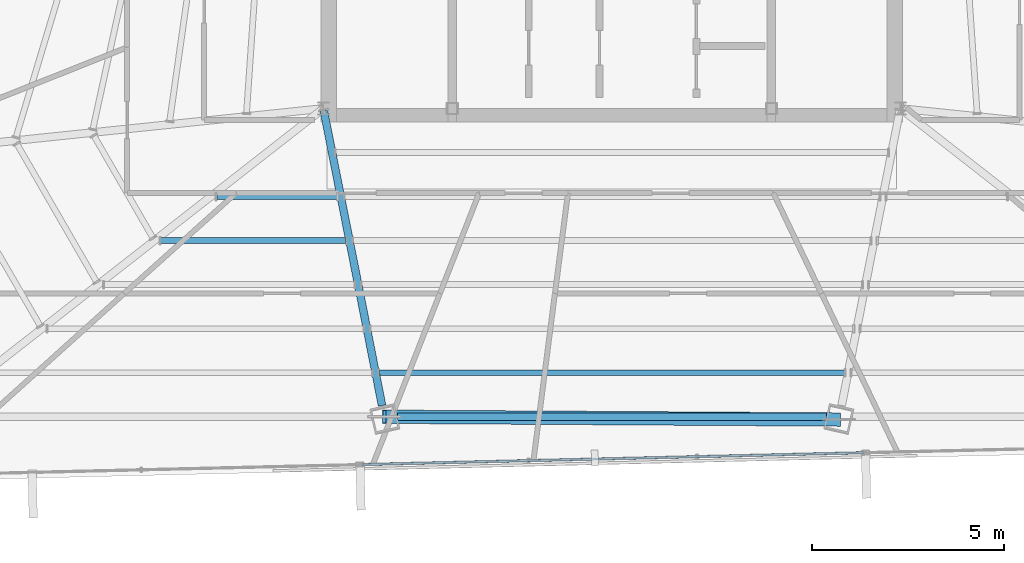
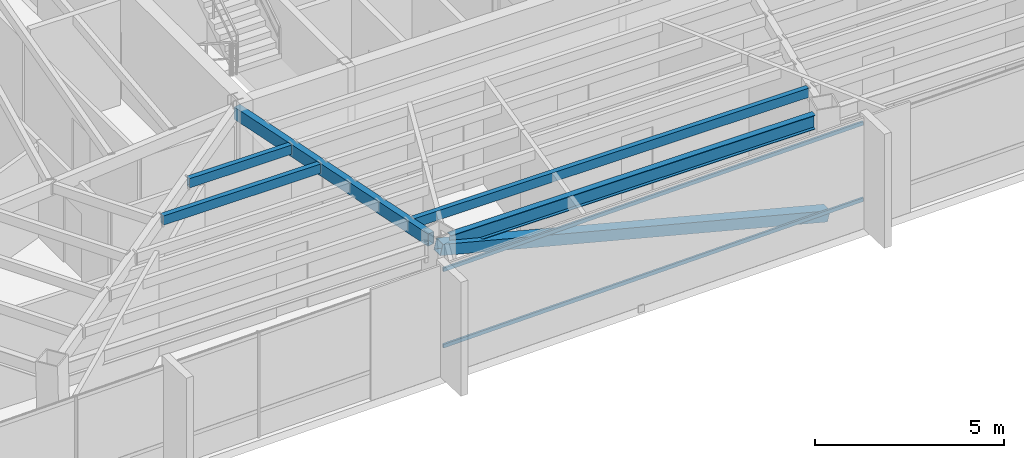
# One storey, part 12 of 47: 5 beams, 3 members, 1 element without a shape of its own.
"""IFC4 building model written with IfcOpenShell, lengths in metres."""

from ifc_helpers import new_model, si_unit, direction, frame, origin, origin_2d, place, context, subcontext, project, spatial, hollow_rectangle, i_section, extrude, source, transform, mapped, material, material_profile, profile_set, type_object, type_shapes, element, aggregate, save


model = new_model("IFC4")

# Units and contexts
model_context = context("Model", 3, precision=1e-05, world=origin(), true_north=direction((0.0, 1.0)))
body_context = subcontext(model_context, "Body", "Model", "MODEL_VIEW")
ifc_project = project(units=[si_unit("LENGTHUNIT", "METRE"), si_unit("AREAUNIT", "SQUARE_METRE"), si_unit("VOLUMEUNIT", "CUBIC_METRE"), si_unit("PLANEANGLEUNIT", "RADIAN"), si_unit("MASSUNIT", "GRAM", prefix="KILO")], contexts=[model_context])

# Site, building, storey
site_placement = place(None, origin())
site = spatial("IfcSite", under=ifc_project, at=site_placement, CompositionType="ELEMENT")
building_placement = place(site_placement, origin())
building = spatial("IfcBuilding", under=site, at=building_placement, Name="Caelisora Broadcast Tower", CompositionType="ELEMENT")
storey_placement = place(building_placement, frame((0.0, 0.0, 255.39990234375)))
storey = spatial("IfcBuildingStorey", under=building, at=storey_placement, Name="L67", CompositionType="ELEMENT", Elevation=255.39990234375)

# Beams
ifc_material_1 = material(Name="Steel Grade 350 (AS/NZS 3679.1)", Category="steel")
ifc_material_profile_1 = material_profile(ifc_material_1, i_section(OverallWidth=0.19091796875, OverallDepth=0.46044921875, WebThickness=0.010009765625, FlangeThickness=0.01611328125, at=origin_2d()), Name="Steel Grade 350 (AS/NZS 3679.1)")
ifc_profile_set_1 = profile_set([ifc_material_profile_1], Name="Steel Grade 350 (AS/NZS 3679.1)")
beam_type_1 = type_object("IfcBeamType", Name="PG06", PredefinedType="BEAM", material=ifc_profile_set_1)
shared_shape_1 = source(origin(), body_context, "Body", "SweptSolid", [
    extrude(i_section(OverallWidth=0.19091796875, OverallDepth=0.46044921875, WebThickness=0.010009765625, FlangeThickness=0.01611328125, at=origin_2d()), origin(), (0.0, 0.0, 1.0), 11.1572265625),
])
type_shapes(beam_type_1, [shared_shape_1])
beam_1_placement = place(storey_placement, frame((32.42138671875, 9.384521484375, 3.169921875), z_axis=(1.0, 0.0, 0.0), x_axis=(0.0, 1.0, 0.0)))
element("IfcBeam", 1, at=beam_1_placement, inside=storey, type_object=beam_type_1, Name="L67 beam PG06", PredefinedType="BEAM", context=body_context, shape_type="MappedRepresentation", body=[
    mapped(shared_shape_1, transform((0.0, 0.0, 0.0), scale=1.0)),
])
ifc_material_2 = material(Name="Steel Grade 350 (AS/NZS 1163 C350L0)", Category="steel")
ifc_material_profile_2 = material_profile(ifc_material_2, hollow_rectangle(XDim=0.199951171875, YDim=0.39990234375, WallThickness=0.012451171875, at=origin_2d()), Name="Steel Grade 350 (AS/NZS 1163 C350L0)")
ifc_profile_set_2 = profile_set([ifc_material_profile_2], Name="Steel Grade 350 (AS/NZS 1163 C350L0)")
beam_type_2 = type_object("IfcBeamType", Name="PG07", PredefinedType="BEAM", material=ifc_profile_set_2)
shared_shape_2 = source(origin(), body_context, "Body", "SweptSolid", [
    extrude(hollow_rectangle(XDim=0.199951171875, YDim=0.39990234375, WallThickness=0.012451171875, at=origin_2d()), origin(), (0.0, 0.0, 1.0), 7.8125),
])
type_shapes(beam_type_2, [shared_shape_2])
beam_2_placement = place(storey_placement, frame((30.51171875, 17.341064453125, 3.2001953125), z_axis=(0.193783818977, -0.981044255629, 0.0), x_axis=(0.981044255629, 0.193783818977, 0.0)))
element("IfcBeam", 2, at=beam_2_placement, inside=storey, type_object=beam_type_2, Name="L67 beam PG07", PredefinedType="BEAM", context=body_context, shape_type="MappedRepresentation", body=[
    mapped(shared_shape_2, transform((0.0, 0.0, 0.0), scale=1.0)),
])
ifc_material_profile_3 = material_profile(ifc_material_2, hollow_rectangle(XDim=0.14990234375, YDim=0.300048828125, WallThickness=0.010009765625, at=origin_2d()), Name="Steel Grade 350 (AS/NZS 1163 C350L0)")
ifc_profile_set_3 = profile_set([ifc_material_profile_3], Name="Steel Grade 350 (AS/NZS 1163 C350L0)")
beam_type_3 = type_object("IfcBeamType", Name="SB05", PredefinedType="JOIST", material=ifc_profile_set_3)
shared_shape_3 = source(origin(), body_context, "Body", "SweptSolid", [
    extrude(hollow_rectangle(XDim=0.14990234375, YDim=0.300048828125, WallThickness=0.010009765625, at=origin_2d()), origin(), (0.0, 0.0, 1.0), 3.12255859375),
])
beam_3_placement = place(storey_placement, frame((27.73095703125, 15.10986328125, 3.25), z_axis=(1.0, 0.0, 0.0), x_axis=(0.0, 1.0, 0.0)))
element("IfcBeam", 3, at=beam_3_placement, inside=storey, type_object=beam_type_3, Name="L67 beam SB05", PredefinedType="JOIST", context=body_context, shape_type="MappedRepresentation", body=[
    mapped(shared_shape_3, transform((0.0, 0.0, 0.0), scale=1.0)),
])
shared_shape_4 = source(origin(), body_context, "Body", "SweptSolid", [
    extrude(hollow_rectangle(XDim=0.14990234375, YDim=0.300048828125, WallThickness=0.010009765625, at=origin_2d()), origin(), (0.0, 0.0, 1.0), 4.81298828125),
])
beam_4_placement = place(storey_placement, frame((26.2666015625, 13.964599609375, 3.25), z_axis=(1.0, 0.0, 0.0), x_axis=(0.0, 1.0, 0.0)))
element("IfcBeam", 4, at=beam_4_placement, inside=storey, type_object=beam_type_3, Name="L67 beam SB05", PredefinedType="JOIST", context=body_context, shape_type="MappedRepresentation", body=[
    mapped(shared_shape_4, transform((0.0, 0.0, 0.0), scale=1.0)),
])
shared_shape_5 = source(origin(), body_context, "Body", "SweptSolid", [
    extrude(hollow_rectangle(XDim=0.14990234375, YDim=0.300048828125, WallThickness=0.010009765625, at=origin_2d()), origin(), (0.0, 0.0, 1.0), 12.08740234375),
])
type_shapes(beam_type_3, [shared_shape_3, shared_shape_4, shared_shape_5])
beam_5_placement = place(storey_placement, frame((31.956298828125, 10.529541015625, 3.25), z_axis=(1.0, 0.0, 0.0), x_axis=(0.0, 1.0, 0.0)))
element("IfcBeam", 5, at=beam_5_placement, inside=storey, type_object=beam_type_3, Name="L67 beam SB05", PredefinedType="JOIST", context=body_context, shape_type="MappedRepresentation", body=[
    mapped(shared_shape_5, transform((0.0, 0.0, 0.0), scale=1.0)),
])

# Member
ifc_material_3 = material(Name="Steel Grade 450 (AS/NZS 1163 C450L0)", Category="steel")
ifc_material_profile_4 = material_profile(ifc_material_3, hollow_rectangle(XDim=0.35009765625, YDim=0.35009765625, WallThickness=0.012451171875, at=origin_2d()), Name="Steel Grade 450 (AS/NZS 1163 C450L0)")
ifc_profile_set_4 = profile_set([ifc_material_profile_4], Name="Steel Grade 450 (AS/NZS 1163 C450L0)")
member_type_1 = type_object("IfcMemberType", Name="BR05", PredefinedType="BRACE", material=ifc_profile_set_4)
shared_shape_6 = source(origin(), body_context, "Body", "SweptSolid", [
    extrude(hollow_rectangle(XDim=0.35009765625, YDim=0.35009765625, WallThickness=0.012451171875, at=origin_2d()), origin(), (0.0, 0.0, 1.0), 12.191650390625),
])
type_shapes(member_type_1, [shared_shape_6])
member_1_placement = place(storey_placement, frame((32.08349609375, 9.384521484375, 3.10009765625), z_axis=(0.969234250802, -0.005947450931, -0.246068272843), x_axis=(0.006136121333, 0.99998117383, 0.0)))
element("IfcMember", 6, at=member_1_placement, inside=storey, type_object=member_type_1, Name="L67 perimeter brace BR05", PredefinedType="BRACE", context=body_context, shape_type="MappedRepresentation", body=[
    mapped(shared_shape_6, transform((0.0, 0.0, 0.0), scale=1.0)),
])

# Curtain wall, members
ifc_material_4 = material(Name="Unitised Aluminium Insulated Shadow-Box Spandrel Curtain Wall", Category="aluminium")
curtain_wall_type = type_object("IfcCurtainWallType", Name="CW-SP3", PredefinedType="NOTDEFINED", material=ifc_material_4)
curtain_wall_placement = place(storey_placement, origin())
curtain_wall = element("IfcCurtainWall", 7, at=curtain_wall_placement, inside=storey, type_object=curtain_wall_type, Name="L67 curtain wall CW-SP3", PredefinedType="NOTDEFINED")
ifc_material_5 = material(Name="Aluminium 6063-T6 Anodised Terracotta Bronze", Category="aluminium")
ifc_material_profile_5 = material_profile(ifc_material_5, hollow_rectangle(XDim=0.06005859375, YDim=0.1201171875, WallThickness=0.0029296875, at=origin_2d()), Name="Aluminium 6063-T6 Anodised Terracotta Bronze")
ifc_profile_set_5 = profile_set([ifc_material_profile_5], Name="Aluminium 6063-T6 Anodised Terracotta Bronze")
member_type_2 = type_object("IfcMemberType", Name="CWT-03", PredefinedType="USERDEFINED", material=ifc_profile_set_5)
shared_shape_7 = source(origin(), body_context, "Body", "SweptSolid", [
    extrude(hollow_rectangle(XDim=0.06005859375, YDim=0.1201171875, WallThickness=0.0029296875, at=origin_2d()), origin(), (0.0, 0.0, 1.0), 13.037109375),
])
type_shapes(member_type_2, [shared_shape_7])
member_2_placement = place(storey_placement, frame((44.540771484375, 8.44873046875, 0.85009765625), z_axis=(-0.999721585916, -0.023595564264, 0.0), x_axis=(0.023595564264, -0.999721585916, 0.0)))
member_2 = element("IfcMember", 8, at=member_2_placement, type_object=member_type_2, Name="L67-CW-B06 transom #1", ObjectType="TRANSOM", PredefinedType="USERDEFINED", context=body_context, shape_type="MappedRepresentation", body=[
    mapped(shared_shape_7, transform((0.0, 0.0, 0.0), scale=1.0)),
])
member_3_placement = place(storey_placement, frame((44.540771484375, 8.44873046875, 3.320068359375), z_axis=(-0.999721585916, -0.023595564264, 0.0), x_axis=(0.023595564264, -0.999721585916, 0.0)))
member_3 = element("IfcMember", 9, at=member_3_placement, type_object=member_type_2, Name="L67-CW-B06 transom #2", ObjectType="TRANSOM", PredefinedType="USERDEFINED", context=body_context, shape_type="MappedRepresentation", body=[
    mapped(shared_shape_7, transform((0.0, 0.0, 0.0), scale=1.0)),
])
aggregate(curtain_wall, [member_2, member_3])

save(model, "model.ifc")
